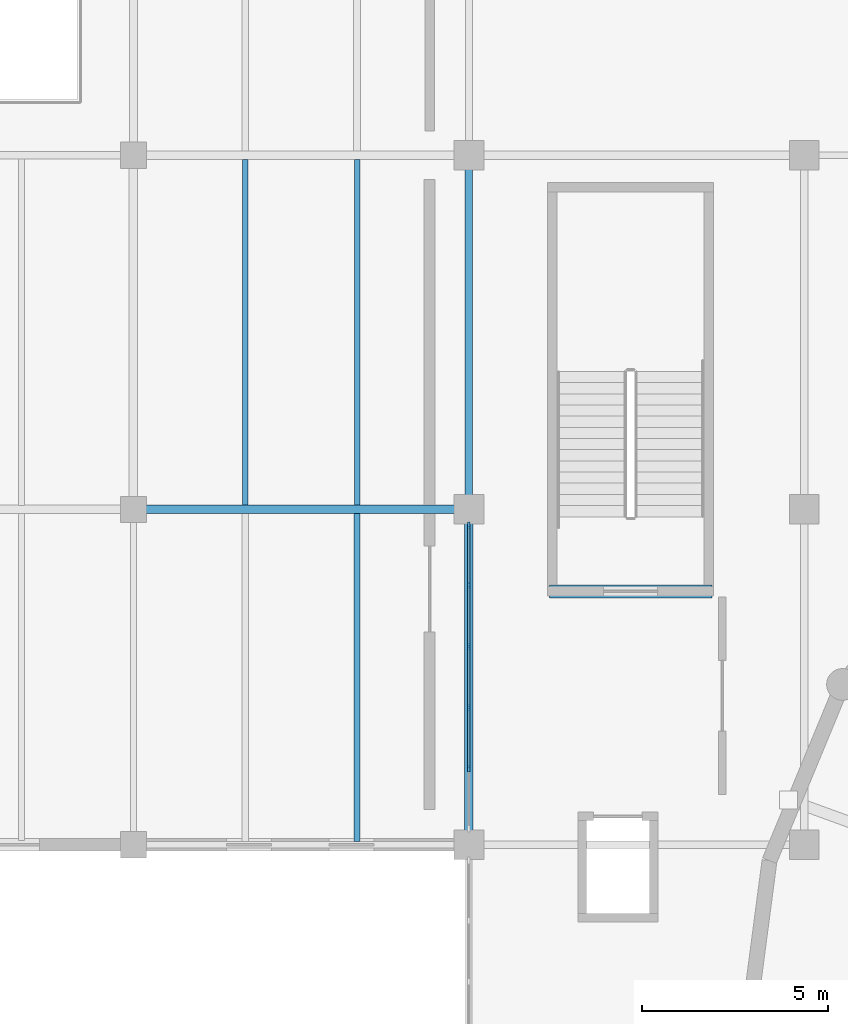
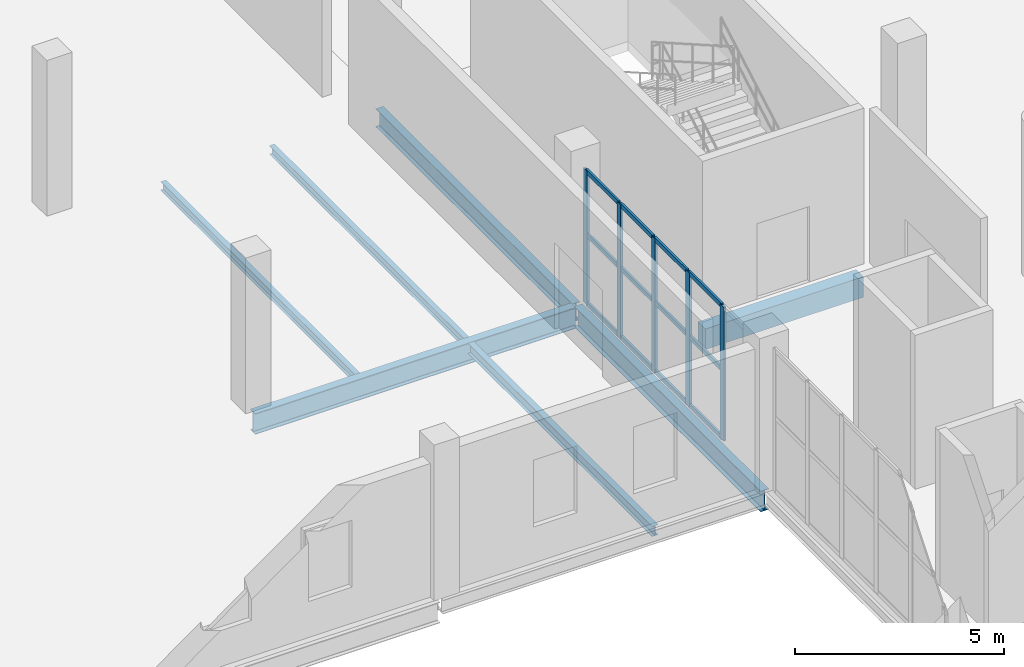
# One storey, part 43 of 93: 17 members, 7 beams, 1 element without a shape of its own.
"""IFC4 building model written with IfcOpenShell, lengths in metres."""

from ifc_helpers import new_model, si_unit, direction, frame, origin, origin_2d, place, context, subcontext, project, spatial, rectangle, i_section, extrude, material, layer, layer_set, material_profile, profile_set, type_object, element, aggregate, save


model = new_model("IFC4")

# Units and contexts
model_context = context("Model", 3, precision=1e-05, world=origin(), true_north=direction((0.0, 1.0)))
body_context = subcontext(model_context, "Body", "Model", "MODEL_VIEW")
ifc_project = project(units=[si_unit("LENGTHUNIT", "METRE"), si_unit("AREAUNIT", "SQUARE_METRE"), si_unit("VOLUMEUNIT", "CUBIC_METRE"), si_unit("PLANEANGLEUNIT", "RADIAN"), si_unit("MASSUNIT", "GRAM", prefix="KILO")], contexts=[model_context])

# Site, building, storey
site_placement = place(None, origin())
site = spatial("IfcSite", under=ifc_project, at=site_placement, CompositionType="ELEMENT")
building_placement = place(site_placement, origin())
building = spatial("IfcBuilding", under=site, at=building_placement, Name="Marnock Terrace Opera House", CompositionType="ELEMENT")
storey_placement = place(building_placement, frame((0.0, 0.0, 5.39990234375)))
storey = spatial("IfcBuildingStorey", under=building, at=storey_placement, Name="L01", CompositionType="ELEMENT", Elevation=5.39990234375)

# Beams
ifc_material_1 = material(Name="Steel Grade 350 (AS/NZS 3679.1)", Category="steel")
ifc_material_profile_1 = material_profile(ifc_material_1, i_section(OverallWidth=0.208984375, OverallDepth=0.528076171875, WebThickness=0.009521484375, FlangeThickness=0.01318359375, FilletRadius=0.013916015625, at=origin_2d()))
ifc_profile_set_1 = profile_set([ifc_material_profile_1], Name="Steel Grade 350 (AS/NZS 3679.1)")
beam_type_1 = type_object("IfcBeamType", Name="BM-GIRD-530B", PredefinedType="BEAM", material=ifc_profile_set_1)
beam_1_placement = place(storey_placement, frame((55.0, 75.050048828125, -0.5439453125), z_axis=(0.0, 1.0, 0.0), x_axis=(-1.0, 0.0, 0.0)))
element("IfcBeam", 1, at=beam_1_placement, inside=storey, type_object=beam_type_1, Name="L01 girder (X=55.0, 75.0..84.5)", PredefinedType="BEAM", context=body_context, shape_type="SweptSolid", body=[
    extrude(i_section(OverallWidth=0.208984375, OverallDepth=0.528076171875, WebThickness=0.009521484375, FlangeThickness=0.01318359375, FilletRadius=0.013916015625, at=origin_2d()), origin(), (0.0, 0.0, 1.0), 9.39990234375),
])
ifc_material_profile_2 = material_profile(ifc_material_1, i_section(OverallWidth=0.22900390625, OverallDepth=0.611572265625, WebThickness=0.011962890625, FlangeThickness=0.01953125, FilletRadius=0.013916015625, at=origin_2d()))
ifc_profile_set_2 = profile_set([ifc_material_profile_2], Name="Steel Grade 350 (AS/NZS 3679.1)")
beam_type_2 = type_object("IfcBeamType", Name="BM-GIRD-610A", PredefinedType="BEAM", material=ifc_profile_set_2)
beam_2_placement = place(storey_placement, frame((46.050048828125, 75.0, -0.585693359375), z_axis=(1.0, 0.0, 0.0), x_axis=(0.0, 1.0, 0.0)))
element("IfcBeam", 2, at=beam_2_placement, inside=storey, type_object=beam_type_2, Name="L01 girder (46.0..55.0, Y=75.0)", PredefinedType="BEAM", context=body_context, shape_type="SweptSolid", body=[
    extrude(i_section(OverallWidth=0.22900390625, OverallDepth=0.611572265625, WebThickness=0.011962890625, FlangeThickness=0.01953125, FilletRadius=0.013916015625, at=origin_2d()), origin(), (0.0, 0.0, 1.0), 8.89990234375),
])
ifc_material_profile_3 = material_profile(ifc_material_1, i_section(OverallWidth=0.22802734375, OverallDepth=0.60205078125, WebThickness=0.010498046875, FlangeThickness=0.014892578125, FilletRadius=0.013916015625, at=origin_2d()))
ifc_profile_set_3 = profile_set([ifc_material_profile_3], Name="Steel Grade 350 (AS/NZS 3679.1)")
beam_type_3 = type_object("IfcBeamType", Name="BM-GIRD-610C", PredefinedType="BEAM", material=ifc_profile_set_3)
beam_3_placement = place(storey_placement, frame((55.0, 66.050048828125, -0.580810546875), z_axis=(0.0, 1.0, 0.0), x_axis=(-1.0, 0.0, 0.0)))
element("IfcBeam", 3, at=beam_3_placement, inside=storey, type_object=beam_type_3, Name="L01 girder (X=55.0, 66.0..75.0)", PredefinedType="BEAM", context=body_context, shape_type="SweptSolid", body=[
    extrude(i_section(OverallWidth=0.22802734375, OverallDepth=0.60205078125, WebThickness=0.010498046875, FlangeThickness=0.014892578125, FilletRadius=0.013916015625, at=origin_2d()), origin(), (0.0, 0.0, 1.0), 8.89990234375),
])
ifc_material_profile_4 = material_profile(ifc_material_1, i_section(OverallWidth=0.14599609375, OverallDepth=0.256103515625, WebThickness=0.00634765625, FlangeThickness=0.010986328125, FilletRadius=0.0087890625, at=origin_2d()))
ifc_profile_set_4 = profile_set([ifc_material_profile_4], Name="Steel Grade 350 (AS/NZS 3679.1)")
beam_type_4 = type_object("IfcBeamType", Name="BM-JOIST-250", PredefinedType="JOIST", material=ifc_profile_set_4)
for number, where, z_axis, x_axis, name in (
    (4, (49.0, 75.109619140625, -0.407958984375), (0.0, 1.0, 0.0), (-1.0, 0.0, 0.0), "L01 secondary joist 5.9.1"),
    (5, (52.0, 75.109619140625, -0.407958984375), (0.0, 1.0, 0.0), (-1.0, 0.0, 0.0), "L01 secondary joist 5.9.2"),
):
    element("IfcBeam", number, at=place(storey_placement, frame(where, z_axis=z_axis, x_axis=x_axis)), inside=storey, type_object=beam_type_4, Name=name, PredefinedType="JOIST", context=body_context, shape_type="SweptSolid", body=[
        extrude(i_section(OverallWidth=0.14599609375, OverallDepth=0.256103515625, WebThickness=0.00634765625, FlangeThickness=0.010986328125, FilletRadius=0.0087890625, at=origin_2d()), origin(), (0.0, 0.0, 1.0), 9.281494140625),
    ])
ifc_material_profile_5 = material_profile(ifc_material_1, i_section(OverallWidth=0.1650390625, OverallDepth=0.3037109375, WebThickness=0.006103515625, FlangeThickness=0.01025390625, FilletRadius=0.011474609375, at=origin_2d()))
ifc_profile_set_5 = profile_set([ifc_material_profile_5], Name="Steel Grade 350 (AS/NZS 3679.1)")
beam_type_5 = type_object("IfcBeamType", Name="BM-JOIST-310B", PredefinedType="JOIST", material=ifc_profile_set_5)
beam_4_placement = place(storey_placement, frame((52.0, 66.083984375, -0.431884765625), z_axis=(0.0, 1.0, 0.0), x_axis=(-1.0, 0.0, 0.0)))
element("IfcBeam", 6, at=beam_4_placement, inside=storey, type_object=beam_type_5, Name="L01 secondary joist 5.8.2", PredefinedType="JOIST", context=body_context, shape_type="SweptSolid", body=[
    extrude(i_section(OverallWidth=0.1650390625, OverallDepth=0.3037109375, WebThickness=0.006103515625, FlangeThickness=0.01025390625, FilletRadius=0.011474609375, at=origin_2d()), origin(), (0.0, 0.0, 1.0), 8.806396484375),
])
ifc_material_2 = material(Name="Concrete N40 (f'c = 40 MPa)", Category="concrete")
ifc_material_profile_6 = material_profile(ifc_material_2, rectangle(XDim=0.35009765625, YDim=0.60009765625, at=origin_2d()))
ifc_profile_set_6 = profile_set([ifc_material_profile_6], Name="Concrete N40 (f'c = 40 MPa)")
beam_type_6 = type_object("IfcBeamType", Name="BM-LINT-RC350", PredefinedType="LINTEL", material=ifc_profile_set_6)
beam_5_placement = place(storey_placement, frame((57.159912109375, 72.800048828125, -0.6298828125), z_axis=(1.0, 0.0, 0.0), x_axis=(0.0, 1.0, 0.0)))
element("IfcBeam", 7, at=beam_5_placement, inside=storey, type_object=beam_type_6, Name="L00 Core C3 coupling lintel", PredefinedType="LINTEL", context=body_context, shape_type="SweptSolid", body=[
    extrude(rectangle(XDim=0.35009765625, YDim=0.60009765625, at=origin_2d()), origin(), (0.0, 0.0, 1.0), 4.360107421875),
])

# Curtain wall, members
ifc_material_3 = material(Name="Anodised architectural bronze aluminium framing", Category="aluminium")
ifc_layer = layer(ifc_material_3, 0.159912109375)
ifc_layer_set = layer_set([ifc_layer], Name="Anodised architectural bronze aluminium framing")
curtain_wall_type = type_object("IfcCurtainWallType", Name="CW-FOYER-90x45", PredefinedType="NOTDEFINED", material=ifc_layer_set)
curtain_wall_placement = place(storey_placement, origin())
curtain_wall = element("IfcCurtainWall", 8, at=curtain_wall_placement, inside=storey, type_object=curtain_wall_type, Name="L01 glazed Beaux-Arts colonnade curtain wall CW-V1W-L01-08", PredefinedType="NOTDEFINED")
ifc_material_profile_7 = material_profile(ifc_material_3, rectangle(XDim=0.06494140625, YDim=0.179931640625, at=origin_2d()))
ifc_profile_set_7 = profile_set([ifc_material_profile_7], Name="Anodised architectural bronze aluminium framing")
member_type_1 = type_object("IfcMemberType", Name="CWM-65x180", PredefinedType="MULLION", material=ifc_profile_set_7)
member_1_placement = place(storey_placement, frame((55.0, 68.03759765625, 0.0), z_axis=(0.0, 0.0, 1.0), x_axis=(-1.0, 0.0, 0.0)))
member_1 = element("IfcMember", 9, at=member_1_placement, type_object=member_type_1, Name="CW-27 mullion 2", PredefinedType="MULLION", context=body_context, shape_type="SweptSolid", body=[
    extrude(rectangle(XDim=0.06494140625, YDim=0.179931640625, at=origin_2d()), origin(), (0.0, 0.0, 1.0), 3.908203125),
])
member_2_placement = place(storey_placement, frame((55.0, 69.67919921875, 0.0), z_axis=(0.0, 0.0, 1.0), x_axis=(-1.0, 0.0, 0.0)))
member_2 = element("IfcMember", 10, at=member_2_placement, type_object=member_type_1, Name="CW-27 mullion 3", PredefinedType="MULLION", context=body_context, shape_type="SweptSolid", body=[
    extrude(rectangle(XDim=0.06494140625, YDim=0.179931640625, at=origin_2d()), origin(), (0.0, 0.0, 1.0), 3.908203125),
])
member_3_placement = place(storey_placement, frame((55.0, 71.32080078125, 0.0), z_axis=(0.0, 0.0, 1.0), x_axis=(-1.0, 0.0, 0.0)))
member_3 = element("IfcMember", 11, at=member_3_placement, type_object=member_type_1, Name="CW-27 mullion 4", PredefinedType="MULLION", context=body_context, shape_type="SweptSolid", body=[
    extrude(rectangle(XDim=0.06494140625, YDim=0.179931640625, at=origin_2d()), origin(), (0.0, 0.0, 1.0), 3.908203125),
])
member_4_placement = place(storey_placement, frame((55.0, 72.96240234375, 0.0), z_axis=(0.0, 0.0, 1.0), x_axis=(-1.0, 0.0, 0.0)))
member_4 = element("IfcMember", 12, at=member_4_placement, type_object=member_type_1, Name="CW-27 mullion 5", PredefinedType="MULLION", context=body_context, shape_type="SweptSolid", body=[
    extrude(rectangle(XDim=0.06494140625, YDim=0.179931640625, at=origin_2d()), origin(), (0.0, 0.0, 1.0), 3.908203125),
])
member_5_placement = place(storey_placement, frame((55.0, 74.573974609375, 0.0), z_axis=(0.0, 0.0, 1.0), x_axis=(-1.0, 0.0, 0.0)))
member_5 = element("IfcMember", 13, at=member_5_placement, type_object=member_type_1, Name="CW-27 mullion 6", PredefinedType="MULLION", context=body_context, shape_type="SweptSolid", body=[
    extrude(rectangle(XDim=0.06494140625, YDim=0.179931640625, at=origin_2d()), origin(), (0.0, 0.0, 1.0), 3.908203125),
])
ifc_material_profile_8 = material_profile(ifc_material_3, rectangle(XDim=0.06005859375, YDim=0.1298828125, at=origin_2d()))
ifc_profile_set_8 = profile_set([ifc_material_profile_8], Name="Anodised architectural bronze aluminium framing")
member_type_2 = type_object("IfcMemberType", Name="CWT-60x130", PredefinedType="USERDEFINED", material=ifc_profile_set_8)
member_6_placement = place(storey_placement, frame((55.0, 68.067626953125, 0.030029296875), z_axis=(0.0, 1.0, 0.0), x_axis=(-1.0, 0.0, 0.0)))
member_6 = element("IfcMember", 14, at=member_6_placement, type_object=member_type_2, Name="CW-27 transom 2.1", ObjectType="TRANSOM", PredefinedType="USERDEFINED", context=body_context, shape_type="SweptSolid", body=[
    extrude(rectangle(XDim=0.06005859375, YDim=0.1298828125, at=origin_2d()), origin(), (0.0, 0.0, 1.0), 1.58154296875),
])
member_7_placement = place(storey_placement, frame((55.0, 68.067626953125, 2.0322265625), z_axis=(0.0, 1.0, 0.0), x_axis=(-1.0, 0.0, 0.0)))
member_7 = element("IfcMember", 15, at=member_7_placement, type_object=member_type_2, Name="CW-27 transom 2.2", ObjectType="TRANSOM", PredefinedType="USERDEFINED", context=body_context, shape_type="SweptSolid", body=[
    extrude(rectangle(XDim=0.06005859375, YDim=0.1298828125, at=origin_2d()), origin(), (0.0, 0.0, 1.0), 1.58154296875),
])
member_8_placement = place(storey_placement, frame((55.0, 68.067626953125, 3.878173828125), z_axis=(0.0, 1.0, 0.0), x_axis=(-1.0, 0.0, 0.0)))
member_8 = element("IfcMember", 16, at=member_8_placement, type_object=member_type_2, Name="CW-27 transom 2.3", ObjectType="TRANSOM", PredefinedType="USERDEFINED", context=body_context, shape_type="SweptSolid", body=[
    extrude(rectangle(XDim=0.06005859375, YDim=0.1298828125, at=origin_2d()), origin(), (0.0, 0.0, 1.0), 1.58154296875),
])
member_9_placement = place(storey_placement, frame((55.0, 69.709228515625, 0.030029296875), z_axis=(0.0, 1.0, 0.0), x_axis=(-1.0, 0.0, 0.0)))
member_9 = element("IfcMember", 17, at=member_9_placement, type_object=member_type_2, Name="CW-27 transom 3.1", ObjectType="TRANSOM", PredefinedType="USERDEFINED", context=body_context, shape_type="SweptSolid", body=[
    extrude(rectangle(XDim=0.06005859375, YDim=0.1298828125, at=origin_2d()), origin(), (0.0, 0.0, 1.0), 1.58154296875),
])
member_10_placement = place(storey_placement, frame((55.0, 69.709228515625, 2.0322265625), z_axis=(0.0, 1.0, 0.0), x_axis=(-1.0, 0.0, 0.0)))
member_10 = element("IfcMember", 18, at=member_10_placement, type_object=member_type_2, Name="CW-27 transom 3.2", ObjectType="TRANSOM", PredefinedType="USERDEFINED", context=body_context, shape_type="SweptSolid", body=[
    extrude(rectangle(XDim=0.06005859375, YDim=0.1298828125, at=origin_2d()), origin(), (0.0, 0.0, 1.0), 1.58154296875),
])
member_11_placement = place(storey_placement, frame((55.0, 69.709228515625, 3.878173828125), z_axis=(0.0, 1.0, 0.0), x_axis=(-1.0, 0.0, 0.0)))
member_11 = element("IfcMember", 19, at=member_11_placement, type_object=member_type_2, Name="CW-27 transom 3.3", ObjectType="TRANSOM", PredefinedType="USERDEFINED", context=body_context, shape_type="SweptSolid", body=[
    extrude(rectangle(XDim=0.06005859375, YDim=0.1298828125, at=origin_2d()), origin(), (0.0, 0.0, 1.0), 1.58154296875),
])
member_12_placement = place(storey_placement, frame((55.0, 71.350830078125, 0.030029296875), z_axis=(0.0, 1.0, 0.0), x_axis=(-1.0, 0.0, 0.0)))
member_12 = element("IfcMember", 20, at=member_12_placement, type_object=member_type_2, Name="CW-27 transom 4.1", ObjectType="TRANSOM", PredefinedType="USERDEFINED", context=body_context, shape_type="SweptSolid", body=[
    extrude(rectangle(XDim=0.06005859375, YDim=0.1298828125, at=origin_2d()), origin(), (0.0, 0.0, 1.0), 1.58154296875),
])
member_13_placement = place(storey_placement, frame((55.0, 71.350830078125, 2.0322265625), z_axis=(0.0, 1.0, 0.0), x_axis=(-1.0, 0.0, 0.0)))
member_13 = element("IfcMember", 21, at=member_13_placement, type_object=member_type_2, Name="CW-27 transom 4.2", ObjectType="TRANSOM", PredefinedType="USERDEFINED", context=body_context, shape_type="SweptSolid", body=[
    extrude(rectangle(XDim=0.06005859375, YDim=0.1298828125, at=origin_2d()), origin(), (0.0, 0.0, 1.0), 1.58154296875),
])
member_14_placement = place(storey_placement, frame((55.0, 71.350830078125, 3.878173828125), z_axis=(0.0, 1.0, 0.0), x_axis=(-1.0, 0.0, 0.0)))
member_14 = element("IfcMember", 22, at=member_14_placement, type_object=member_type_2, Name="CW-27 transom 4.3", ObjectType="TRANSOM", PredefinedType="USERDEFINED", context=body_context, shape_type="SweptSolid", body=[
    extrude(rectangle(XDim=0.06005859375, YDim=0.1298828125, at=origin_2d()), origin(), (0.0, 0.0, 1.0), 1.58154296875),
])
member_15_placement = place(storey_placement, frame((55.0, 72.992431640625, 0.030029296875), z_axis=(0.0, 1.0, 0.0), x_axis=(-1.0, 0.0, 0.0)))
member_15 = element("IfcMember", 23, at=member_15_placement, type_object=member_type_2, Name="CW-27 transom 5.1", ObjectType="TRANSOM", PredefinedType="USERDEFINED", context=body_context, shape_type="SweptSolid", body=[
    extrude(rectangle(XDim=0.06005859375, YDim=0.1298828125, at=origin_2d()), origin(), (0.0, 0.0, 1.0), 1.551513671875),
])
member_16_placement = place(storey_placement, frame((55.0, 72.992431640625, 2.0322265625), z_axis=(0.0, 1.0, 0.0), x_axis=(-1.0, 0.0, 0.0)))
member_16 = element("IfcMember", 24, at=member_16_placement, type_object=member_type_2, Name="CW-27 transom 5.2", ObjectType="TRANSOM", PredefinedType="USERDEFINED", context=body_context, shape_type="SweptSolid", body=[
    extrude(rectangle(XDim=0.06005859375, YDim=0.1298828125, at=origin_2d()), origin(), (0.0, 0.0, 1.0), 1.551513671875),
])
member_17_placement = place(storey_placement, frame((55.0, 72.992431640625, 3.878173828125), z_axis=(0.0, 1.0, 0.0), x_axis=(-1.0, 0.0, 0.0)))
member_17 = element("IfcMember", 25, at=member_17_placement, type_object=member_type_2, Name="CW-27 transom 5.3", ObjectType="TRANSOM", PredefinedType="USERDEFINED", context=body_context, shape_type="SweptSolid", body=[
    extrude(rectangle(XDim=0.06005859375, YDim=0.1298828125, at=origin_2d()), origin(), (0.0, 0.0, 1.0), 1.551513671875),
])
aggregate(curtain_wall, [member_1, member_2, member_3, member_4, member_5, member_6, member_7, member_8, member_9, member_10, member_11, member_12, member_13, member_14, member_15, member_16, member_17])

save(model, "model.ifc")
